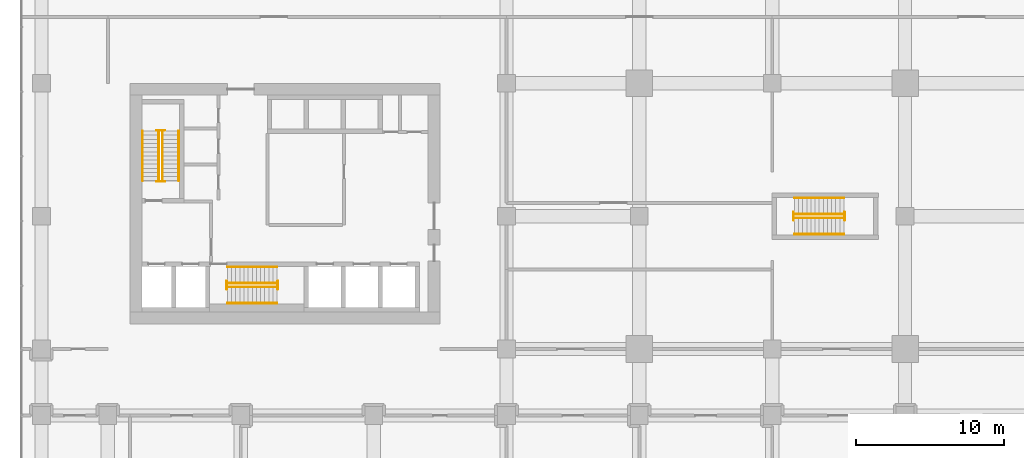
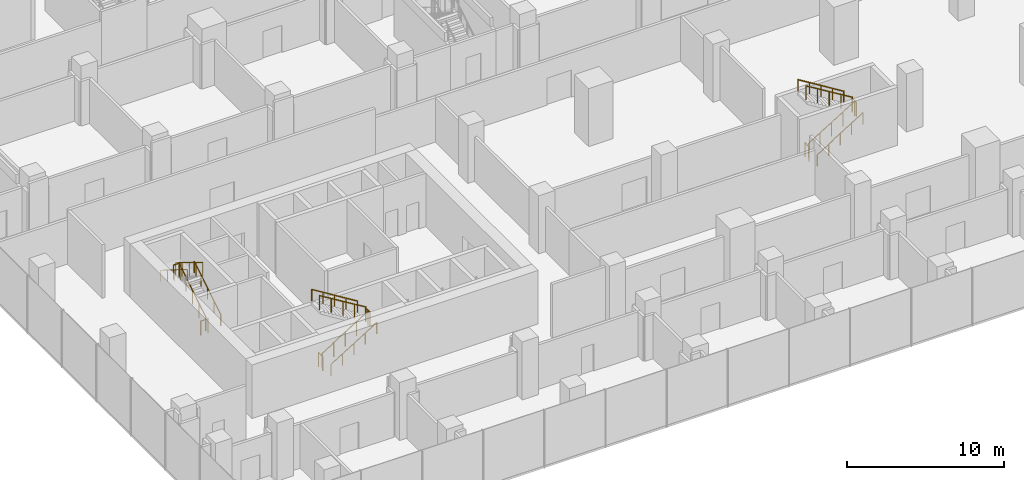
# One storey, part 39 of 43: 18 railings.
"""IFC4 building model written with IfcOpenShell, lengths in metres."""

from ifc_helpers import new_model, si_unit, direction, frame, origin, origin_2d, place, context, subcontext, project, spatial, circle, extrude, material, type_object, element, save


model = new_model("IFC4")

# Units and contexts
model_context = context("Model", 3, precision=1e-05, world=origin(), true_north=direction((0.0, 1.0)))
body_context = subcontext(model_context, "Body", "Model", "MODEL_VIEW")
ifc_project = project(units=[si_unit("LENGTHUNIT", "METRE"), si_unit("AREAUNIT", "SQUARE_METRE"), si_unit("VOLUMEUNIT", "CUBIC_METRE"), si_unit("PLANEANGLEUNIT", "RADIAN"), si_unit("MASSUNIT", "GRAM", prefix="KILO")], contexts=[model_context])

# Site, building, storey
site_placement = place(None, origin())
site = spatial("IfcSite", under=ifc_project, at=site_placement, CompositionType="ELEMENT")
building_placement = place(site_placement, origin())
building = spatial("IfcBuilding", under=site, at=building_placement, Name="Plateau Cross Towers", CompositionType="ELEMENT")
storey_placement = place(building_placement, frame((0.0, 0.0, 12.800048828125)))
storey = spatial("IfcBuildingStorey", under=building, at=storey_placement, Name="L02", CompositionType="ELEMENT", Elevation=12.800048828125)

# Railings
ifc_material_1 = material(Name="Stainless steel and toughened glass", Category="steel")
railing_type_1 = type_object("IfcRailingType", Name="RL-GUARD-1100", PredefinedType="GUARDRAIL", material=ifc_material_1)
railing_1_placement = place(storey_placement, frame((3.699951171875, 11.39990234375, 0.173095703125)))
element("IfcRailing", 1, at=railing_1_placement, inside=storey, type_object=railing_type_1, Name="L02 ST-1 stair guard 1", PredefinedType="GUARDRAIL", context=body_context, shape_type="SweptSolid", body=[
    extrude(circle(Radius=0.02392578125, at=origin_2d()), frame((0.0, 0.0, 1.076171875), z_axis=(0.0, 0.850623216509, 0.525775754039), x_axis=(-1.0, 0.0, 0.0)), (0.0, 0.0, 1.0), 3.9501953125),
    extrude(circle(Radius=0.02099609375, at=origin_2d()), origin(), (0.0, 0.0, 1.0), 1.052001953125),
    extrude(circle(Radius=0.02099609375, at=origin_2d()), frame((0.0, 0.840087890625, 0.519287109375)), (0.0, 0.0, 1.0), 1.052001953125),
    extrude(circle(Radius=0.02099609375, at=origin_2d()), frame((0.0, 1.68017578125, 1.03857421875)), (0.0, 0.0, 1.0), 1.052001953125),
    extrude(circle(Radius=0.02099609375, at=origin_2d()), frame((0.0, 2.52001953125, 1.5576171875)), (0.0, 0.0, 1.0), 1.052001953125),
    extrude(circle(Radius=0.02099609375, at=origin_2d()), frame((0.0, 3.360107421875, 2.076904296875)), (0.0, 0.0, 1.0), 1.052001953125),
])
railing_2_placement = place(storey_placement, frame((3.85009765625, 14.81005859375, 2.25)))
element("IfcRailing", 2, at=railing_2_placement, inside=storey, type_object=railing_type_1, Name="L02 ST-1 stair guard 2", PredefinedType="GUARDRAIL", context=body_context, shape_type="SweptSolid", body=[
    extrude(circle(Radius=0.02392578125, at=origin_2d()), frame((0.0, 0.0, 1.076171875), z_axis=(-1.0, 0.0, 0.0), x_axis=(0.0, -1.0, 0.0)), (0.0, 0.0, 1.0), 0.550048828125),
    extrude(circle(Radius=0.02099609375, at=origin_2d()), origin(), (0.0, 0.0, 1.0), 1.052001953125),
    extrude(circle(Radius=0.02099609375, at=origin_2d()), frame((-0.550048828125, 0.0, 0.0)), (0.0, 0.0, 1.0), 1.052001953125),
])
railing_3_placement = place(storey_placement, frame((3.449951171875, 14.760009765625, 2.423095703125)))
element("IfcRailing", 3, at=railing_3_placement, inside=storey, type_object=railing_type_1, Name="L02 ST-1 stair guard 3", PredefinedType="GUARDRAIL", context=body_context, shape_type="SweptSolid", body=[
    extrude(circle(Radius=0.02392578125, at=origin_2d()), frame((0.0, 0.0, 1.076171875), z_axis=(0.0, -0.854053285388, 0.520185530092), x_axis=(1.0, 0.0, 0.0)), (0.0, 0.0, 1.0), 3.99267578125),
    extrude(circle(Radius=0.02099609375, at=origin_2d()), origin(), (0.0, 0.0, 1.0), 1.052001953125),
    extrude(circle(Radius=0.02099609375, at=origin_2d()), frame((0.0, -0.8525390625, 0.519287109375)), (0.0, 0.0, 1.0), 1.052001953125),
    extrude(circle(Radius=0.02099609375, at=origin_2d()), frame((0.0, -1.705078125, 1.03857421875)), (0.0, 0.0, 1.0), 1.052001953125),
    extrude(circle(Radius=0.02099609375, at=origin_2d()), frame((0.0, -2.557373046875, 1.5576171875)), (0.0, 0.0, 1.0), 1.052001953125),
    extrude(circle(Radius=0.02099609375, at=origin_2d()), frame((0.0, -3.409912109375, 2.076904296875)), (0.0, 0.0, 1.0), 1.052001953125),
])
railing_4_placement = place(storey_placement, frame((3.85009765625, 11.35009765625, 0.0)))
element("IfcRailing", 4, at=railing_4_placement, inside=storey, type_object=railing_type_1, Name="L02 ST-1 stair guard 4", PredefinedType="GUARDRAIL", context=body_context, shape_type="SweptSolid", body=[
    extrude(circle(Radius=0.02392578125, at=origin_2d()), frame((0.0, 0.0, 1.076171875), z_axis=(-1.0, 0.0, 0.0), x_axis=(0.0, -1.0, 0.0)), (0.0, 0.0, 1.0), 0.550048828125),
    extrude(circle(Radius=0.02099609375, at=origin_2d()), origin(), (0.0, 0.0, 1.0), 1.052001953125),
    extrude(circle(Radius=0.02099609375, at=origin_2d()), frame((-0.550048828125, 0.0, 0.0)), (0.0, 0.0, 1.0), 1.052001953125),
])
railing_5_placement = place(storey_placement, frame((8.10009765625, 4.199951171875, 0.173095703125)))
element("IfcRailing", 5, at=railing_5_placement, inside=storey, type_object=railing_type_1, Name="L02 ST-2 stair guard 1", PredefinedType="GUARDRAIL", context=body_context, shape_type="SweptSolid", body=[
    extrude(circle(Radius=0.02392578125, at=origin_2d()), frame((0.0, 0.0, 1.076171875), z_axis=(0.850606129759, 0.0, 0.525803396734), x_axis=(0.0, 1.0, 0.0)), (0.0, 0.0, 1.0), 3.949951171875),
    extrude(circle(Radius=0.02099609375, at=origin_2d()), origin(), (0.0, 0.0, 1.0), 1.052001953125),
    extrude(circle(Radius=0.02099609375, at=origin_2d()), frame((0.83984375, 0.0, 0.519287109375)), (0.0, 0.0, 1.0), 1.052001953125),
    extrude(circle(Radius=0.02099609375, at=origin_2d()), frame((1.679931640625, 0.0, 1.03857421875)), (0.0, 0.0, 1.0), 1.052001953125),
    extrude(circle(Radius=0.02099609375, at=origin_2d()), frame((2.52001953125, 0.0, 1.5576171875)), (0.0, 0.0, 1.0), 1.052001953125),
    extrude(circle(Radius=0.02099609375, at=origin_2d()), frame((3.35986328125, 0.0, 2.076904296875)), (0.0, 0.0, 1.0), 1.052001953125),
])
railing_6_placement = place(storey_placement, frame((11.510009765625, 4.050048828125, 2.25)))
element("IfcRailing", 6, at=railing_6_placement, inside=storey, type_object=railing_type_1, Name="L02 ST-2 stair guard 2", PredefinedType="GUARDRAIL", context=body_context, shape_type="SweptSolid", body=[
    extrude(circle(Radius=0.02392578125, at=origin_2d()), frame((0.0, 0.0, 1.076171875), z_axis=(0.0, 1.0, 0.0), x_axis=(-1.0, 0.0, 0.0)), (0.0, 0.0, 1.0), 0.550048828125),
    extrude(circle(Radius=0.02099609375, at=origin_2d()), origin(), (0.0, 0.0, 1.0), 1.052001953125),
    extrude(circle(Radius=0.02099609375, at=origin_2d()), frame((0.0, 0.550048828125, 0.0)), (0.0, 0.0, 1.0), 1.052001953125),
])
railing_7_placement = place(storey_placement, frame((11.4599609375, 4.449951171875, 2.423095703125)))
element("IfcRailing", 7, at=railing_7_placement, inside=storey, type_object=railing_type_1, Name="L02 ST-2 stair guard 3", PredefinedType="GUARDRAIL", context=body_context, shape_type="SweptSolid", body=[
    extrude(circle(Radius=0.02392578125, at=origin_2d()), frame((0.0, 0.0, 1.076171875), z_axis=(-0.854053285388, 0.0, 0.520185530092), x_axis=(0.0, -1.0, 0.0)), (0.0, 0.0, 1.0), 3.99267578125),
    extrude(circle(Radius=0.02099609375, at=origin_2d()), origin(), (0.0, 0.0, 1.0), 1.052001953125),
    extrude(circle(Radius=0.02099609375, at=origin_2d()), frame((-0.8525390625, 0.0, 0.519287109375)), (0.0, 0.0, 1.0), 1.052001953125),
    extrude(circle(Radius=0.02099609375, at=origin_2d()), frame((-1.705078125, 0.0, 1.03857421875)), (0.0, 0.0, 1.0), 1.052001953125),
    extrude(circle(Radius=0.02099609375, at=origin_2d()), frame((-2.557373046875, 0.0, 1.5576171875)), (0.0, 0.0, 1.0), 1.052001953125),
    extrude(circle(Radius=0.02099609375, at=origin_2d()), frame((-3.409912109375, 0.0, 2.076904296875)), (0.0, 0.0, 1.0), 1.052001953125),
])
railing_8_placement = place(storey_placement, frame((8.050048828125, 4.050048828125, 0.0)))
element("IfcRailing", 8, at=railing_8_placement, inside=storey, type_object=railing_type_1, Name="L02 ST-2 stair guard 4", PredefinedType="GUARDRAIL", context=body_context, shape_type="SweptSolid", body=[
    extrude(circle(Radius=0.02392578125, at=origin_2d()), frame((0.0, 0.0, 1.076171875), z_axis=(0.0, 1.0, 0.0), x_axis=(-1.0, 0.0, 0.0)), (0.0, 0.0, 1.0), 0.550048828125),
    extrude(circle(Radius=0.02099609375, at=origin_2d()), origin(), (0.0, 0.0, 1.0), 1.052001953125),
    extrude(circle(Radius=0.02099609375, at=origin_2d()), frame((0.0, 0.550048828125, 0.0)), (0.0, 0.0, 1.0), 1.052001953125),
])
railing_9_placement = place(storey_placement, frame((46.5, 8.875, 0.173095703125)))
element("IfcRailing", 9, at=railing_9_placement, inside=storey, type_object=railing_type_1, Name="L02 ES-E stair guard 1", PredefinedType="GUARDRAIL", context=body_context, shape_type="SweptSolid", body=[
    extrude(circle(Radius=0.02392578125, at=origin_2d()), frame((0.0, 0.0, 1.076171875), z_axis=(0.850623216509, 0.0, 0.525775754039), x_axis=(0.0, 1.0, 0.0)), (0.0, 0.0, 1.0), 3.9501953125),
    extrude(circle(Radius=0.02099609375, at=origin_2d()), origin(), (0.0, 0.0, 1.0), 1.052001953125),
    extrude(circle(Radius=0.02099609375, at=origin_2d()), frame((0.840087890625, 0.0, 0.519287109375)), (0.0, 0.0, 1.0), 1.052001953125),
    extrude(circle(Radius=0.02099609375, at=origin_2d()), frame((1.68017578125, 0.0, 1.03857421875)), (0.0, 0.0, 1.0), 1.052001953125),
    extrude(circle(Radius=0.02099609375, at=origin_2d()), frame((2.52001953125, 0.0, 1.5576171875)), (0.0, 0.0, 1.0), 1.052001953125),
    extrude(circle(Radius=0.02099609375, at=origin_2d()), frame((3.360107421875, 0.0, 2.076904296875)), (0.0, 0.0, 1.0), 1.052001953125),
])
railing_10_placement = place(storey_placement, frame((49.909912109375, 8.72509765625, 2.25)))
element("IfcRailing", 10, at=railing_10_placement, inside=storey, type_object=railing_type_1, Name="L02 ES-E stair guard 2", PredefinedType="GUARDRAIL", context=body_context, shape_type="SweptSolid", body=[
    extrude(circle(Radius=0.02392578125, at=origin_2d()), frame((0.0, 0.0, 1.076171875), z_axis=(0.0, 1.0, 0.0), x_axis=(-1.0, 0.0, 0.0)), (0.0, 0.0, 1.0), 0.5498046875),
    extrude(circle(Radius=0.02099609375, at=origin_2d()), origin(), (0.0, 0.0, 1.0), 1.052001953125),
    extrude(circle(Radius=0.02099609375, at=origin_2d()), frame((0.0, 0.5498046875, 0.0)), (0.0, 0.0, 1.0), 1.052001953125),
])
railing_11_placement = place(storey_placement, frame((49.860107421875, 9.125, 2.423095703125)))
element("IfcRailing", 11, at=railing_11_placement, inside=storey, type_object=railing_type_1, Name="L02 ES-E stair guard 3", PredefinedType="GUARDRAIL", context=body_context, shape_type="SweptSolid", body=[
    extrude(circle(Radius=0.02392578125, at=origin_2d()), frame((0.0, 0.0, 1.076171875), z_axis=(-0.854069830296, 0.0, 0.520158365287), x_axis=(0.0, -1.0, 0.0)), (0.0, 0.0, 1.0), 3.992919921875),
    extrude(circle(Radius=0.02099609375, at=origin_2d()), origin(), (0.0, 0.0, 1.0), 1.052001953125),
    extrude(circle(Radius=0.02099609375, at=origin_2d()), frame((-0.8525390625, 0.0, 0.519287109375)), (0.0, 0.0, 1.0), 1.052001953125),
    extrude(circle(Radius=0.02099609375, at=origin_2d()), frame((-1.705078125, 0.0, 1.03857421875)), (0.0, 0.0, 1.0), 1.052001953125),
    extrude(circle(Radius=0.02099609375, at=origin_2d()), frame((-2.5576171875, 0.0, 1.5576171875)), (0.0, 0.0, 1.0), 1.052001953125),
    extrude(circle(Radius=0.02099609375, at=origin_2d()), frame((-3.41015625, 0.0, 2.076904296875)), (0.0, 0.0, 1.0), 1.052001953125),
])
railing_12_placement = place(storey_placement, frame((46.449951171875, 8.72509765625, 0.0)))
element("IfcRailing", 12, at=railing_12_placement, inside=storey, type_object=railing_type_1, Name="L02 ES-E stair guard 4", PredefinedType="GUARDRAIL", context=body_context, shape_type="SweptSolid", body=[
    extrude(circle(Radius=0.02392578125, at=origin_2d()), frame((0.0, 0.0, 1.076171875), z_axis=(0.0, 1.0, 0.0), x_axis=(-1.0, 0.0, 0.0)), (0.0, 0.0, 1.0), 0.5498046875),
    extrude(circle(Radius=0.02099609375, at=origin_2d()), origin(), (0.0, 0.0, 1.0), 1.052001953125),
    extrude(circle(Radius=0.02099609375, at=origin_2d()), frame((0.0, 0.5498046875, 0.0)), (0.0, 0.0, 1.0), 1.052001953125),
])
ifc_material_2 = material(Name="Black anodised aluminium", Category="aluminium")
railing_type_2 = type_object("IfcRailingType", Name="RL-HANDRAIL-900", PredefinedType="HANDRAIL", material=ifc_material_2)
railing_13_placement = place(storey_placement, frame((4.800048828125, 11.39990234375, 0.173095703125)))
element("IfcRailing", 13, at=railing_13_placement, inside=storey, type_object=railing_type_2, Name="L02 ST-1 stair handrail 1", PredefinedType="HANDRAIL", context=body_context, shape_type="SweptSolid", body=[
    extrude(circle(Radius=0.02392578125, at=origin_2d()), frame((0.0, 0.0, 0.8759765625), z_axis=(0.0, 0.850623216509, 0.525775754039), x_axis=(-1.0, 0.0, 0.0)), (0.0, 0.0, 1.0), 3.9501953125),
    extrude(circle(Radius=0.02099609375, at=origin_2d()), origin(), (0.0, 0.0, 1.0), 0.851806640625),
    extrude(circle(Radius=0.02099609375, at=origin_2d()), frame((0.0, 0.840087890625, 0.519287109375)), (0.0, 0.0, 1.0), 0.851806640625),
    extrude(circle(Radius=0.02099609375, at=origin_2d()), frame((0.0, 1.68017578125, 1.03857421875)), (0.0, 0.0, 1.0), 0.851806640625),
    extrude(circle(Radius=0.02099609375, at=origin_2d()), frame((0.0, 2.52001953125, 1.5576171875)), (0.0, 0.0, 1.0), 0.851806640625),
    extrude(circle(Radius=0.02099609375, at=origin_2d()), frame((0.0, 3.360107421875, 2.076904296875)), (0.0, 0.0, 1.0), 0.851806640625),
])
railing_14_placement = place(storey_placement, frame((2.35009765625, 14.760009765625, 2.423095703125)))
element("IfcRailing", 14, at=railing_14_placement, inside=storey, type_object=railing_type_2, Name="L02 ST-1 stair handrail 2", PredefinedType="HANDRAIL", context=body_context, shape_type="SweptSolid", body=[
    extrude(circle(Radius=0.02392578125, at=origin_2d()), frame((0.0, 0.0, 0.8759765625), z_axis=(0.0, -0.850623216509, 0.525775754039), x_axis=(1.0, 0.0, 0.0)), (0.0, 0.0, 1.0), 3.9501953125),
    extrude(circle(Radius=0.02099609375, at=origin_2d()), origin(), (0.0, 0.0, 1.0), 0.851806640625),
    extrude(circle(Radius=0.02099609375, at=origin_2d()), frame((0.0, -0.840087890625, 0.519287109375)), (0.0, 0.0, 1.0), 0.851806640625),
    extrude(circle(Radius=0.02099609375, at=origin_2d()), frame((0.0, -1.68017578125, 1.03857421875)), (0.0, 0.0, 1.0), 0.851806640625),
    extrude(circle(Radius=0.02099609375, at=origin_2d()), frame((0.0, -2.52001953125, 1.5576171875)), (0.0, 0.0, 1.0), 0.851806640625),
    extrude(circle(Radius=0.02099609375, at=origin_2d()), frame((0.0, -3.360107421875, 2.076904296875)), (0.0, 0.0, 1.0), 0.851806640625),
])
railing_15_placement = place(storey_placement, frame((8.10009765625, 3.10009765625, 0.173095703125)))
element("IfcRailing", 15, at=railing_15_placement, inside=storey, type_object=railing_type_2, Name="L02 ST-2 stair handrail 1", PredefinedType="HANDRAIL", context=body_context, shape_type="SweptSolid", body=[
    extrude(circle(Radius=0.02392578125, at=origin_2d()), frame((0.0, 0.0, 0.8759765625), z_axis=(0.850606129759, 0.0, 0.525803396734), x_axis=(0.0, 1.0, 0.0)), (0.0, 0.0, 1.0), 3.949951171875),
    extrude(circle(Radius=0.02099609375, at=origin_2d()), origin(), (0.0, 0.0, 1.0), 0.851806640625),
    extrude(circle(Radius=0.02099609375, at=origin_2d()), frame((0.83984375, 0.0, 0.519287109375)), (0.0, 0.0, 1.0), 0.851806640625),
    extrude(circle(Radius=0.02099609375, at=origin_2d()), frame((1.679931640625, 0.0, 1.03857421875)), (0.0, 0.0, 1.0), 0.851806640625),
    extrude(circle(Radius=0.02099609375, at=origin_2d()), frame((2.52001953125, 0.0, 1.5576171875)), (0.0, 0.0, 1.0), 0.851806640625),
    extrude(circle(Radius=0.02099609375, at=origin_2d()), frame((3.35986328125, 0.0, 2.076904296875)), (0.0, 0.0, 1.0), 0.851806640625),
])
railing_16_placement = place(storey_placement, frame((11.4599609375, 5.550048828125, 2.423095703125)))
element("IfcRailing", 16, at=railing_16_placement, inside=storey, type_object=railing_type_2, Name="L02 ST-2 stair handrail 2", PredefinedType="HANDRAIL", context=body_context, shape_type="SweptSolid", body=[
    extrude(circle(Radius=0.02392578125, at=origin_2d()), frame((0.0, 0.0, 0.8759765625), z_axis=(-0.850606129759, 0.0, 0.525803396734), x_axis=(0.0, -1.0, 0.0)), (0.0, 0.0, 1.0), 3.949951171875),
    extrude(circle(Radius=0.02099609375, at=origin_2d()), origin(), (0.0, 0.0, 1.0), 0.851806640625),
    extrude(circle(Radius=0.02099609375, at=origin_2d()), frame((-0.83984375, 0.0, 0.519287109375)), (0.0, 0.0, 1.0), 0.851806640625),
    extrude(circle(Radius=0.02099609375, at=origin_2d()), frame((-1.679931640625, 0.0, 1.03857421875)), (0.0, 0.0, 1.0), 0.851806640625),
    extrude(circle(Radius=0.02099609375, at=origin_2d()), frame((-2.52001953125, 0.0, 1.5576171875)), (0.0, 0.0, 1.0), 0.851806640625),
    extrude(circle(Radius=0.02099609375, at=origin_2d()), frame((-3.35986328125, 0.0, 2.076904296875)), (0.0, 0.0, 1.0), 0.851806640625),
])
railing_17_placement = place(storey_placement, frame((46.5, 7.77490234375, 0.173095703125)))
element("IfcRailing", 17, at=railing_17_placement, inside=storey, type_object=railing_type_2, Name="L02 ES-E stair handrail 1", PredefinedType="HANDRAIL", context=body_context, shape_type="SweptSolid", body=[
    extrude(circle(Radius=0.02392578125, at=origin_2d()), frame((0.0, 0.0, 0.8759765625), z_axis=(0.850623216509, 0.0, 0.525775754039), x_axis=(0.0, 1.0, 0.0)), (0.0, 0.0, 1.0), 3.9501953125),
    extrude(circle(Radius=0.02099609375, at=origin_2d()), origin(), (0.0, 0.0, 1.0), 0.851806640625),
    extrude(circle(Radius=0.02099609375, at=origin_2d()), frame((0.840087890625, 0.0, 0.519287109375)), (0.0, 0.0, 1.0), 0.851806640625),
    extrude(circle(Radius=0.02099609375, at=origin_2d()), frame((1.68017578125, 0.0, 1.03857421875)), (0.0, 0.0, 1.0), 0.851806640625),
    extrude(circle(Radius=0.02099609375, at=origin_2d()), frame((2.52001953125, 0.0, 1.5576171875)), (0.0, 0.0, 1.0), 0.851806640625),
    extrude(circle(Radius=0.02099609375, at=origin_2d()), frame((3.360107421875, 0.0, 2.076904296875)), (0.0, 0.0, 1.0), 0.851806640625),
])
railing_18_placement = place(storey_placement, frame((49.860107421875, 10.22509765625, 2.423095703125)))
element("IfcRailing", 18, at=railing_18_placement, inside=storey, type_object=railing_type_2, Name="L02 ES-E stair handrail 2", PredefinedType="HANDRAIL", context=body_context, shape_type="SweptSolid", body=[
    extrude(circle(Radius=0.02392578125, at=origin_2d()), frame((0.0, 0.0, 0.8759765625), z_axis=(-0.850623216509, 0.0, 0.525775754039), x_axis=(0.0, -1.0, 0.0)), (0.0, 0.0, 1.0), 3.9501953125),
    extrude(circle(Radius=0.02099609375, at=origin_2d()), origin(), (0.0, 0.0, 1.0), 0.851806640625),
    extrude(circle(Radius=0.02099609375, at=origin_2d()), frame((-0.840087890625, 0.0, 0.519287109375)), (0.0, 0.0, 1.0), 0.851806640625),
    extrude(circle(Radius=0.02099609375, at=origin_2d()), frame((-1.68017578125, 0.0, 1.03857421875)), (0.0, 0.0, 1.0), 0.851806640625),
    extrude(circle(Radius=0.02099609375, at=origin_2d()), frame((-2.52001953125, 0.0, 1.5576171875)), (0.0, 0.0, 1.0), 0.851806640625),
    extrude(circle(Radius=0.02099609375, at=origin_2d()), frame((-3.360107421875, 0.0, 2.076904296875)), (0.0, 0.0, 1.0), 0.851806640625),
])

save(model, "model.ifc")
